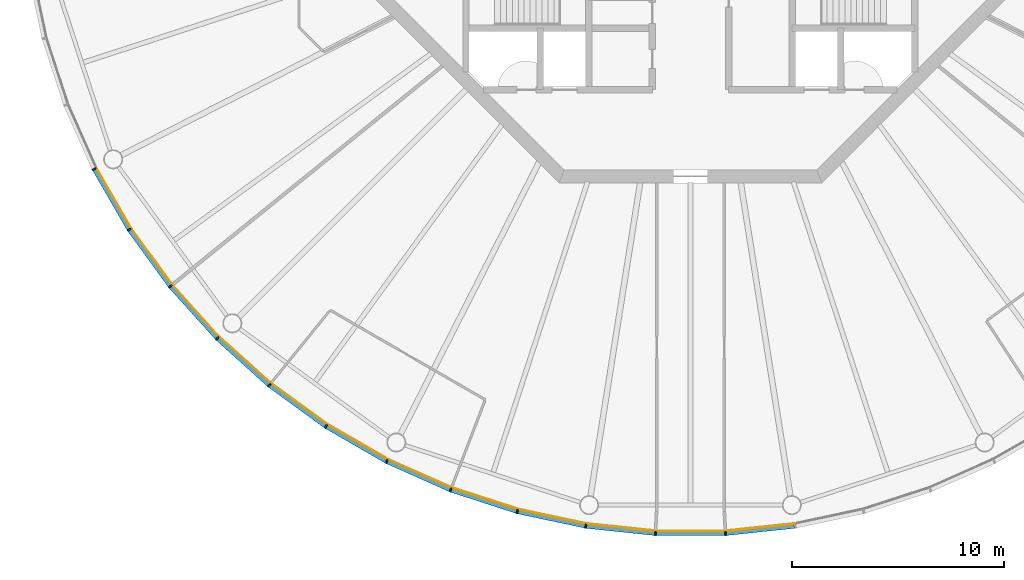
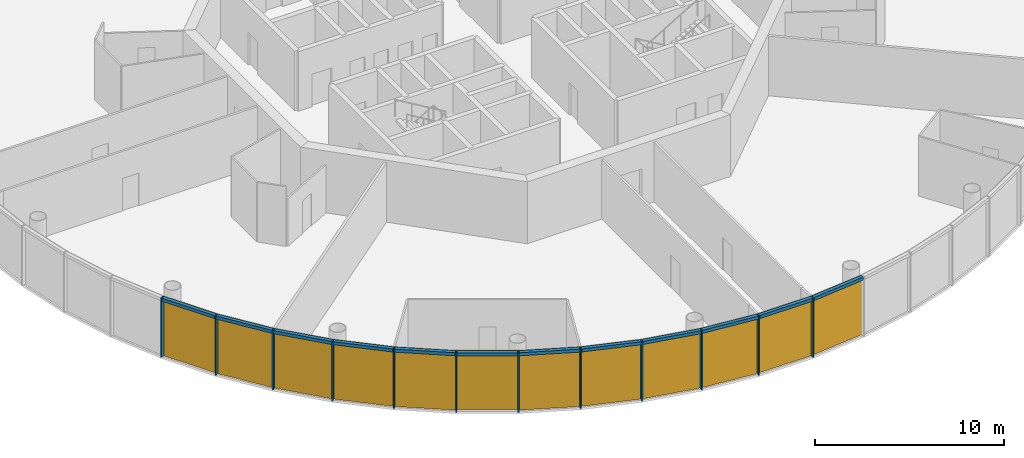
# One storey, part 7 of 13: 24 members, 4 curtain walls.
"""IFC4 building model written with IfcOpenShell, lengths in metres."""

from ifc_helpers import new_model, si_unit, direction, frame, origin, origin_2d, place, context, subcontext, project, spatial, polyline, rectangle, outline, extrude, material, layer, layer_set, material_profile, profile_set, type_object, element, aggregate, save


model = new_model("IFC4")

# Units and contexts
model_context = context("Model", 3, precision=1e-05, world=origin(), true_north=direction((0.0, 1.0)))
body_context = subcontext(model_context, "Body", "Model", "MODEL_VIEW")
ifc_project = project(units=[si_unit("LENGTHUNIT", "METRE"), si_unit("AREAUNIT", "SQUARE_METRE"), si_unit("VOLUMEUNIT", "CUBIC_METRE"), si_unit("PLANEANGLEUNIT", "RADIAN"), si_unit("MASSUNIT", "GRAM", prefix="KILO")], contexts=[model_context])

# Member
ifc_material_1 = material(Name="Anodised aluminium", Category="aluminium")
ifc_material_profile_1 = material_profile(ifc_material_1, rectangle(XDim=0.070068359375, YDim=0.205078125, at=origin_2d()), Name="Mullion 70 x 205 mm anodised aluminium")
ifc_profile_set_1 = profile_set([ifc_material_profile_1], Name="Anodised aluminium")
member_type_1 = type_object("IfcMemberType", Name="Mullion 70 x 205 mm anodised aluminium", PredefinedType="MULLION", material=ifc_profile_set_1)
site_placement = place(None, origin())
building_placement = place(site_placement, origin())
storey_placement = place(building_placement, frame((0.0, 0.0, 340.0)))
member_1_placement = place(storey_placement, frame((61.842041015625, 65.65283203125, 0.0), z_axis=(0.0, 0.0, 1.0), x_axis=(0.45399049974, -0.891006524188, 0.0)))
member_1 = element("IfcMember", 1, at=member_1_placement, type_object=member_type_1, Name="MULLION L78-33", PredefinedType="MULLION", context=body_context, shape_type="SweptSolid", body=[
    extrude(rectangle(XDim=0.070068359375, YDim=0.205078125, at=origin_2d()), origin(), (0.0, 0.0, 1.0), 3.85009765625),
])

member_2_placement = place(storey_placement, frame((63.495849609375, 62.7880859375, 0.0), z_axis=(0.0, 0.0, 1.0), x_axis=(0.544639035015, -0.838670567945, 0.0)))
member_2 = element("IfcMember", 2, at=member_2_placement, type_object=member_type_1, Name="MULLION L78-34", PredefinedType="MULLION", context=body_context, shape_type="SweptSolid", body=[
    extrude(rectangle(XDim=0.070068359375, YDim=0.205078125, at=origin_2d()), origin(), (0.0, 0.0, 1.0), 3.85009765625),
])

member_3_placement = place(storey_placement, frame((65.440185546875, 60.11181640625, 0.0), z_axis=(0.0, 0.0, 1.0), x_axis=(0.62932039105, -0.777145961457, 0.0)))
member_3 = element("IfcMember", 3, at=member_3_placement, type_object=member_type_1, Name="MULLION L78-35", PredefinedType="MULLION", context=body_context, shape_type="SweptSolid", body=[
    extrude(rectangle(XDim=0.070068359375, YDim=0.205078125, at=origin_2d()), origin(), (0.0, 0.0, 1.0), 3.85009765625),
])

member_4_placement = place(storey_placement, frame((67.653564453125, 57.653564453125, 0.0), z_axis=(0.0, 0.0, 1.0), x_axis=(0.707106781187, -0.707106781187, 0.0)))
member_4 = element("IfcMember", 4, at=member_4_placement, type_object=member_type_1, Name="MULLION L78-36", PredefinedType="MULLION", context=body_context, shape_type="SweptSolid", body=[
    extrude(rectangle(XDim=0.070068359375, YDim=0.205078125, at=origin_2d()), origin(), (0.0, 0.0, 1.0), 3.85009765625),
])

member_5_placement = place(storey_placement, frame((70.11181640625, 55.440185546875, 0.0), z_axis=(0.0, 0.0, 1.0), x_axis=(0.777145961457, -0.62932039105, 0.0)))
member_5 = element("IfcMember", 5, at=member_5_placement, type_object=member_type_1, Name="MULLION L78-37", PredefinedType="MULLION", context=body_context, shape_type="SweptSolid", body=[
    extrude(rectangle(XDim=0.070068359375, YDim=0.205078125, at=origin_2d()), origin(), (0.0, 0.0, 1.0), 3.85009765625),
])

member_6_placement = place(storey_placement, frame((72.7880859375, 53.495849609375, 0.0), z_axis=(0.0, 0.0, 1.0), x_axis=(0.838670567945, -0.544639035015, 0.0)))
member_6 = element("IfcMember", 6, at=member_6_placement, type_object=member_type_1, Name="MULLION L78-38", PredefinedType="MULLION", context=body_context, shape_type="SweptSolid", body=[
    extrude(rectangle(XDim=0.070068359375, YDim=0.205078125, at=origin_2d()), origin(), (0.0, 0.0, 1.0), 3.85009765625),
])

member_7_placement = place(storey_placement, frame((75.65283203125, 51.842041015625, 0.0), z_axis=(0.0, 0.0, 1.0), x_axis=(0.891006524188, -0.45399049974, 0.0)))
member_7 = element("IfcMember", 7, at=member_7_placement, type_object=member_type_1, Name="MULLION L78-39", PredefinedType="MULLION", context=body_context, shape_type="SweptSolid", body=[
    extrude(rectangle(XDim=0.070068359375, YDim=0.205078125, at=origin_2d()), origin(), (0.0, 0.0, 1.0), 3.85009765625),
])

member_8_placement = place(storey_placement, frame((78.674560546875, 50.49658203125, 0.0), z_axis=(0.0, 0.0, 1.0), x_axis=(0.933580426497, -0.358367949545, 0.0)))
member_8 = element("IfcMember", 8, at=member_8_placement, type_object=member_type_1, Name="MULLION L78-40", PredefinedType="MULLION", context=body_context, shape_type="SweptSolid", body=[
    extrude(rectangle(XDim=0.070068359375, YDim=0.205078125, at=origin_2d()), origin(), (0.0, 0.0, 1.0), 3.85009765625),
])

member_9_placement = place(storey_placement, frame((81.820556640625, 49.474365234375, 0.0), z_axis=(0.0, 0.0, 1.0), x_axis=(0.965925826289, -0.258819045103, 0.0)))
member_9 = element("IfcMember", 9, at=member_9_placement, type_object=member_type_1, Name="MULLION L78-41", PredefinedType="MULLION", context=body_context, shape_type="SweptSolid", body=[
    extrude(rectangle(XDim=0.070068359375, YDim=0.205078125, at=origin_2d()), origin(), (0.0, 0.0, 1.0), 3.85009765625),
])

member_10_placement = place(storey_placement, frame((85.056396484375, 48.78662109375, 0.0), z_axis=(0.0, 0.0, 1.0), x_axis=(0.987688340595, -0.15643446504, 0.0)))
member_10 = element("IfcMember", 10, at=member_10_placement, type_object=member_type_1, Name="MULLION L78-42", PredefinedType="MULLION", context=body_context, shape_type="SweptSolid", body=[
    extrude(rectangle(XDim=0.070068359375, YDim=0.205078125, at=origin_2d()), origin(), (0.0, 0.0, 1.0), 3.85009765625),
])

member_11_placement = place(storey_placement, frame((88.345947265625, 48.44091796875, 0.0), z_axis=(0.0, 0.0, 1.0), x_axis=(0.998629534755, -0.052335956243, 0.0)))
member_11 = element("IfcMember", 11, at=member_11_placement, type_object=member_type_1, Name="MULLION L78-43", PredefinedType="MULLION", context=body_context, shape_type="SweptSolid", body=[
    extrude(rectangle(XDim=0.070068359375, YDim=0.205078125, at=origin_2d()), origin(), (0.0, 0.0, 1.0), 3.85009765625),
])

member_12_placement = place(storey_placement, frame((91.654052734375, 48.44091796875, 0.0), z_axis=(0.0, 0.0, 1.0), x_axis=(0.998629534755, 0.052335956243, 0.0)))
member_12 = element("IfcMember", 12, at=member_12_placement, type_object=member_type_1, Name="MULLION L78-44", PredefinedType="MULLION", context=body_context, shape_type="SweptSolid", body=[
    extrude(rectangle(XDim=0.070068359375, YDim=0.205078125, at=origin_2d()), origin(), (0.0, 0.0, 1.0), 3.85009765625),
])

ifc_material_2 = material(Name="Anodised aluminium", Category="aluminium")
ifc_material_profile_2 = material_profile(ifc_material_2, rectangle(XDim=0.205078125, YDim=0.195068359375, at=origin_2d()), Name="Transom 195 x 205 mm anodised aluminium")
ifc_profile_set_2 = profile_set([ifc_material_profile_2], Name="Anodised aluminium")
member_type_2 = type_object("IfcMemberType", Name="Transom 195 x 205 mm anodised aluminium", PredefinedType="USERDEFINED", material=ifc_profile_set_2)
member_13_placement = place(storey_placement, frame((61.862060546875, 65.61767578125, 3.75244140625), z_axis=(0.500004055213, -0.866023062494, 0.0), x_axis=(0.866023062494, 0.500004055213, 0.0)))
member_13 = element("IfcMember", 13, at=member_13_placement, type_object=member_type_2, Name="TRANSOM L78-33", ObjectType="TRANSOM", PredefinedType="USERDEFINED", context=body_context, shape_type="SweptSolid", body=[
    extrude(rectangle(XDim=0.205078125, YDim=0.195068359375, at=origin_2d()), origin(), (0.0, 0.0, 1.0), 3.22705078125),
])

member_14_placement = place(storey_placement, frame((63.51953125, 62.75537109375, 3.75244140625), z_axis=(0.587802790201, -0.809004252048, 0.0), x_axis=(0.809004252048, 0.587802790201, 0.0)))
member_14 = element("IfcMember", 14, at=member_14_placement, type_object=member_type_2, Name="TRANSOM L78-34", ObjectType="TRANSOM", PredefinedType="USERDEFINED", context=body_context, shape_type="SweptSolid", body=[
    extrude(rectangle(XDim=0.205078125, YDim=0.195068359375, at=origin_2d()), origin(), (0.0, 0.0, 1.0), 3.227294921875),
])

member_15_placement = place(storey_placement, frame((65.467041015625, 60.081787109375, 3.75244140625), z_axis=(0.669144438484, -0.743132370743, 0.0), x_axis=(0.743132370743, 0.669144438484, 0.0)))
member_15 = element("IfcMember", 15, at=member_15_placement, type_object=member_type_2, Name="TRANSOM L78-35", ObjectType="TRANSOM", PredefinedType="USERDEFINED", context=body_context, shape_type="SweptSolid", body=[
    extrude(rectangle(XDim=0.205078125, YDim=0.195068359375, at=origin_2d()), origin(), (0.0, 0.0, 1.0), 3.22705078125),
])

member_16_placement = place(storey_placement, frame((67.68359375, 57.62646484375, 3.75244140625), z_axis=(0.743132370743, -0.669144438484, 0.0), x_axis=(0.669144438484, 0.743132370743, 0.0)))
member_16 = element("IfcMember", 16, at=member_16_placement, type_object=member_type_2, Name="TRANSOM L78-36", ObjectType="TRANSOM", PredefinedType="USERDEFINED", context=body_context, shape_type="SweptSolid", body=[
    extrude(rectangle(XDim=0.205078125, YDim=0.195068359375, at=origin_2d()), origin(), (0.0, 0.0, 1.0), 3.22705078125),
])

member_17_placement = place(storey_placement, frame((70.14453125, 55.41650390625, 3.75244140625), z_axis=(0.809004252048, -0.587802790201, 0.0), x_axis=(0.587802790201, 0.809004252048, 0.0)))
member_17 = element("IfcMember", 17, at=member_17_placement, type_object=member_type_2, Name="TRANSOM L78-37", ObjectType="TRANSOM", PredefinedType="USERDEFINED", context=body_context, shape_type="SweptSolid", body=[
    extrude(rectangle(XDim=0.205078125, YDim=0.195068359375, at=origin_2d()), origin(), (0.0, 0.0, 1.0), 3.227294921875),
])

member_18_placement = place(storey_placement, frame((72.822998046875, 53.4755859375, 3.75244140625), z_axis=(0.866023062494, -0.500004055213, 0.0), x_axis=(0.500004055213, 0.866023062494, 0.0)))
member_18 = element("IfcMember", 18, at=member_18_placement, type_object=member_type_2, Name="TRANSOM L78-38", ObjectType="TRANSOM", PredefinedType="USERDEFINED", context=body_context, shape_type="SweptSolid", body=[
    extrude(rectangle(XDim=0.205078125, YDim=0.195068359375, at=origin_2d()), origin(), (0.0, 0.0, 1.0), 3.22705078125),
])

member_19_placement = place(storey_placement, frame((75.689697265625, 51.825439453125, 3.75244140625), z_axis=(0.913521178731, -0.406791170024, 0.0), x_axis=(0.406791170024, 0.913521178731, 0.0)))
member_19 = element("IfcMember", 19, at=member_19_placement, type_object=member_type_2, Name="TRANSOM L78-39", ObjectType="TRANSOM", PredefinedType="USERDEFINED", context=body_context, shape_type="SweptSolid", body=[
    extrude(rectangle(XDim=0.205078125, YDim=0.195068359375, at=origin_2d()), origin(), (0.0, 0.0, 1.0), 3.22705078125),
])

member_20_placement = place(storey_placement, frame((78.713134765625, 50.48388671875, 3.75244140625), z_axis=(0.951046855117, -0.309046726844, 0.0), x_axis=(0.309046726844, 0.951046855117, 0.0)))
member_20 = element("IfcMember", 20, at=member_20_placement, type_object=member_type_2, Name="TRANSOM L78-40", ObjectType="TRANSOM", PredefinedType="USERDEFINED", context=body_context, shape_type="SweptSolid", body=[
    extrude(rectangle(XDim=0.205078125, YDim=0.195068359375, at=origin_2d()), origin(), (0.0, 0.0, 1.0), 3.22705078125),
])

member_21_placement = place(storey_placement, frame((81.860107421875, 49.4658203125, 3.75244140625), z_axis=(0.978153082647, -0.207885898771, 0.0), x_axis=(0.207885898771, 0.978153082647, 0.0)))
member_21 = element("IfcMember", 21, at=member_21_placement, type_object=member_type_2, Name="TRANSOM L78-41", ObjectType="TRANSOM", PredefinedType="USERDEFINED", context=body_context, shape_type="SweptSolid", body=[
    extrude(rectangle(XDim=0.205078125, YDim=0.195068359375, at=origin_2d()), origin(), (0.0, 0.0, 1.0), 3.227294921875),
])

member_22_placement = place(storey_placement, frame((85.096435546875, 48.7822265625, 3.75244140625), z_axis=(0.994519537956, -0.104550890115, 0.0), x_axis=(0.104550890115, 0.994519537956, 0.0)))
member_22 = element("IfcMember", 22, at=member_22_placement, type_object=member_type_2, Name="TRANSOM L78-42", ObjectType="TRANSOM", PredefinedType="USERDEFINED", context=body_context, shape_type="SweptSolid", body=[
    extrude(rectangle(XDim=0.205078125, YDim=0.195068359375, at=origin_2d()), origin(), (0.0, 0.0, 1.0), 3.22705078125),
])

member_23_placement = place(storey_placement, frame((88.386474609375, 48.440673828125, 3.75244140625), z_axis=(1.0, 0.0, 0.0), x_axis=(0.0, 1.0, 0.0)))
member_23 = element("IfcMember", 23, at=member_23_placement, type_object=member_type_2, Name="TRANSOM L78-43", ObjectType="TRANSOM", PredefinedType="USERDEFINED", context=body_context, shape_type="SweptSolid", body=[
    extrude(rectangle(XDim=0.205078125, YDim=0.195068359375, at=origin_2d()), origin(), (0.0, 0.0, 1.0), 3.22705078125),
])

member_24_placement = place(storey_placement, frame((91.694091796875, 48.44482421875, 3.75244140625), z_axis=(0.994519537956, 0.104550890115, 0.0), x_axis=(-0.104550890115, 0.994519537956, 0.0)))
member_24 = element("IfcMember", 24, at=member_24_placement, type_object=member_type_2, Name="TRANSOM L78-44", ObjectType="TRANSOM", PredefinedType="USERDEFINED", context=body_context, shape_type="SweptSolid", body=[
    extrude(rectangle(XDim=0.205078125, YDim=0.195068359375, at=origin_2d()), origin(), (0.0, 0.0, 1.0), 3.22705078125),
])

# Site, building, storey
site = spatial("IfcSite", under=ifc_project, at=site_placement, CompositionType="ELEMENT")
building = spatial("IfcBuilding", under=site, at=building_placement, Name="Entoto Ring Tower", CompositionType="ELEMENT")
storey = spatial("IfcBuildingStorey", under=building, at=storey_placement, Name="L78", CompositionType="ELEMENT", Elevation=340.0)

# Curtain wall
ifc_material_3 = material(Name="Clear low-iron glass", Category="glass")
ifc_layer = layer(ifc_material_3, 0.035888671875)
ifc_layer_set = layer_set([ifc_layer], Name="Clear low-iron glass")
curtain_wall_type = type_object("IfcCurtainWallType", Name="Curtain wall system CW6 glazing 36 mm", PredefinedType="NOTDEFINED", material=ifc_layer_set)
curtain_wall_1_placement = place(storey_placement, origin())
curtain_wall_1 = element("IfcCurtainWall", 25, at=curtain_wall_1_placement, inside=storey, type_object=curtain_wall_type, Name="CW6 L78-12", PredefinedType="NOTDEFINED", context=body_context, shape_type="SweptSolid", body=[
    extrude(outline(polyline([(61.933349609375, 65.69921875), (63.581787109375, 62.84375), (65.52001953125, 60.176513671875), (67.72607421875, 57.72607421875), (67.751708984375, 57.751708984375), (65.5478515625, 60.198974609375), (63.612060546875, 62.863525390625), (61.96533203125, 65.715576171875), (61.933349609375, 65.69921875)])), origin(), (0.0, 0.0, 1.0), 3.85009765625),
])

aggregate(curtain_wall_1, [member_1, member_2, member_3, member_13, member_14, member_15])

curtain_wall_2_placement = place(storey_placement, origin())
curtain_wall_2 = element("IfcCurtainWall", 26, at=curtain_wall_2_placement, inside=storey, type_object=curtain_wall_type, Name="CW6 L78-13", PredefinedType="NOTDEFINED", context=body_context, shape_type="SweptSolid", body=[
    extrude(outline(polyline([(67.72607421875, 57.72607421875), (70.176513671875, 55.52001953125), (72.84375, 53.581787109375), (75.69921875, 51.933349609375), (75.715576171875, 51.96533203125), (72.863525390625, 53.612060546875), (70.198974609375, 55.5478515625), (67.751708984375, 57.751708984375), (67.72607421875, 57.72607421875)])), origin(), (0.0, 0.0, 1.0), 3.85009765625),
])

aggregate(curtain_wall_2, [member_4, member_5, member_6, member_16, member_17, member_18])

curtain_wall_3_placement = place(storey_placement, origin())
curtain_wall_3 = element("IfcCurtainWall", 27, at=curtain_wall_3_placement, inside=storey, type_object=curtain_wall_type, Name="CW6 L78-14", PredefinedType="NOTDEFINED", context=body_context, shape_type="SweptSolid", body=[
    extrude(outline(polyline([(75.69921875, 51.933349609375), (78.71142578125, 50.59228515625), (81.84716796875, 49.5732421875), (85.072265625, 48.8876953125), (85.077880859375, 48.92333984375), (81.8564453125, 49.608154296875), (78.724365234375, 50.6259765625), (75.715576171875, 51.96533203125), (75.69921875, 51.933349609375)])), origin(), (0.0, 0.0, 1.0), 3.85009765625),
])

aggregate(curtain_wall_3, [member_7, member_8, member_9, member_19, member_20, member_21])

curtain_wall_4_placement = place(storey_placement, origin())
curtain_wall_4 = element("IfcCurtainWall", 28, at=curtain_wall_4_placement, inside=storey, type_object=curtain_wall_type, Name="CW6 L78-15", PredefinedType="NOTDEFINED", context=body_context, shape_type="SweptSolid", body=[
    extrude(outline(polyline([(85.072265625, 48.8876953125), (88.351318359375, 48.543212890625), (91.648681640625, 48.543212890625), (94.927734375, 48.8876953125), (94.922119140625, 48.92333984375), (91.646728515625, 48.5791015625), (88.353271484375, 48.5791015625), (85.077880859375, 48.92333984375), (85.072265625, 48.8876953125)])), origin(), (0.0, 0.0, 1.0), 3.85009765625),
])

aggregate(curtain_wall_4, [member_10, member_11, member_12, member_22, member_23, member_24])

save(model, "model.ifc")
